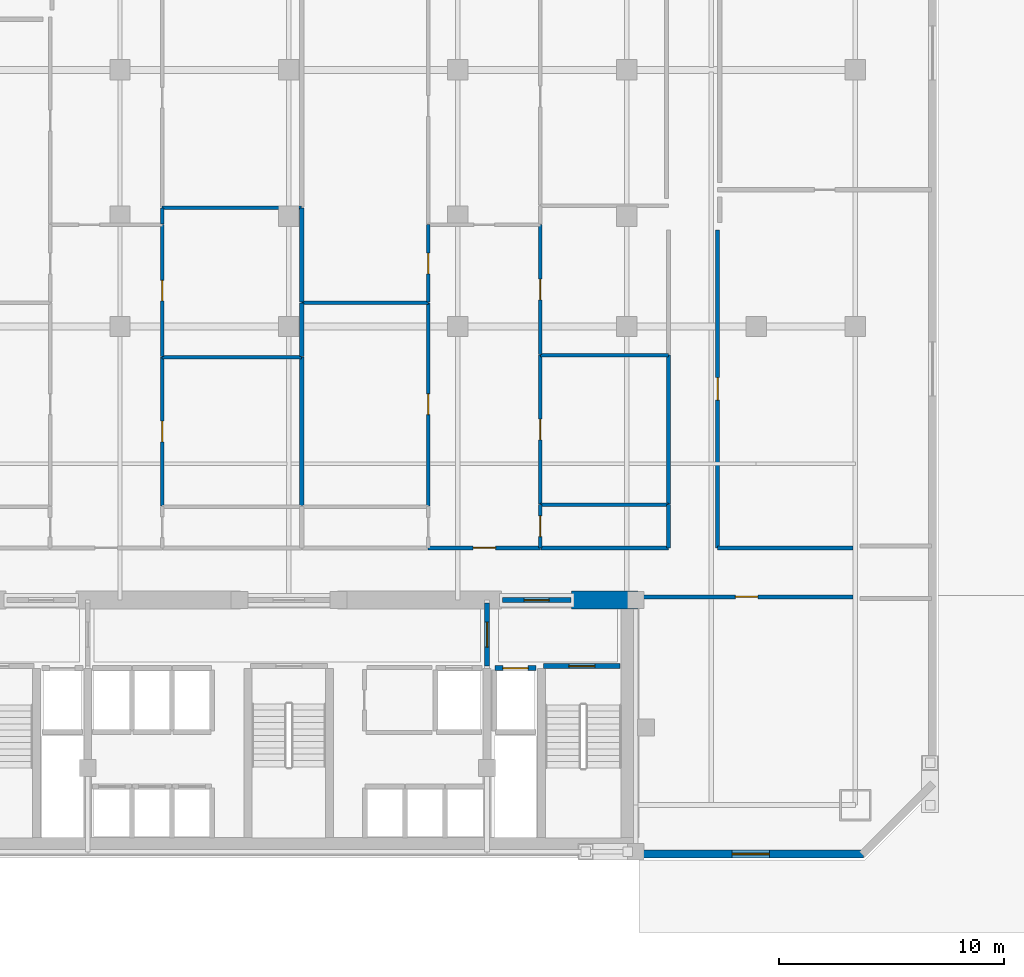
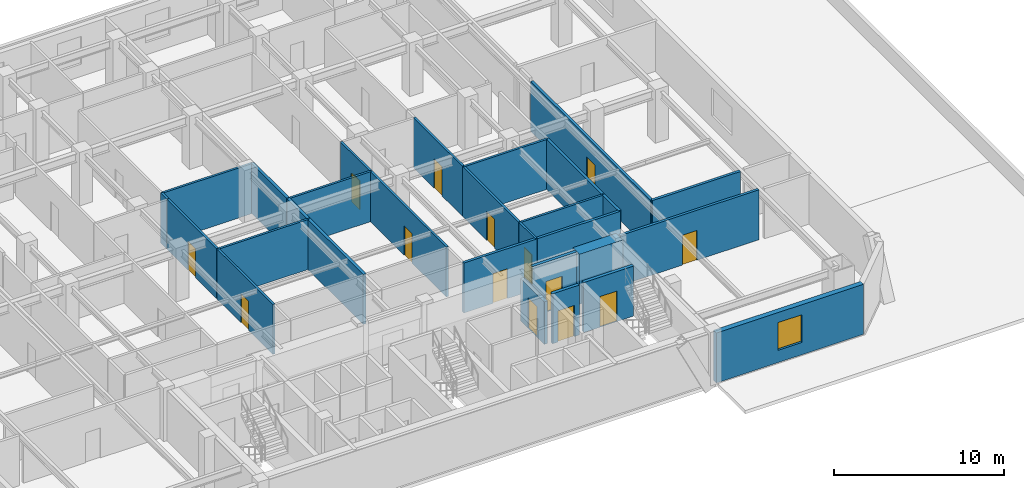
# One storey, part 7 of 11: 29 walls, 14 doors, 1 window, 15 openings.
"""IFC4 building model written with IfcOpenShell, lengths in metres."""

from ifc_helpers import new_model, si_unit, direction, frame, frame_2d, origin, place, context, subcontext, project, spatial, rectangle, extrude, material, layer, layer_set, type_object, element, fill, save


model = new_model("IFC4")

# Units and contexts
model_context = context("Model", 3, precision=1e-05, world=origin(), true_north=direction((0.0, 1.0)))
body_context = subcontext(model_context, "Body", "Model", "MODEL_VIEW")
ifc_project = project(units=[si_unit("LENGTHUNIT", "METRE"), si_unit("AREAUNIT", "SQUARE_METRE"), si_unit("VOLUMEUNIT", "CUBIC_METRE"), si_unit("PLANEANGLEUNIT", "RADIAN"), si_unit("MASSUNIT", "GRAM", prefix="KILO")], contexts=[model_context])

# Site, building, storey
site_placement = place(None, origin())
site = spatial("IfcSite", under=ifc_project, at=site_placement, CompositionType="ELEMENT")
building_placement = place(site_placement, origin())
building = spatial("IfcBuilding", under=site, at=building_placement, Name="Ventersveld Concourse Tower", CompositionType="ELEMENT")
storey_placement = place(building_placement, frame((0.0, 0.0, 29.800048828125)))
storey = spatial("IfcBuildingStorey", under=building, at=storey_placement, Name="L06", CompositionType="ELEMENT", Elevation=29.800048828125)

# Wall
ifc_material_1 = material(Name="Concrete C60/75", Category="concrete")
ifc_layer_1 = layer(ifc_material_1, 0.800048828125)
ifc_layer_set_1 = layer_set([ifc_layer_1], Name="Concrete C60/75")
wall_type_1 = type_object("IfcWallType", Name="WL-CORE-800", PredefinedType="SHEAR", material=ifc_layer_set_1)
wall_1_placement = place(storey_placement, frame((41.300048828125, 11.449951171875, 0.0), z_axis=(0.0, 0.0, 1.0), x_axis=(1.0, 0.0, 0.0)))
element("IfcWall", 1, at=wall_1_placement, inside=storey, type_object=wall_type_1, Name="L06 Rear Core North Shear Wall NE", PredefinedType="SHEAR", context=body_context, shape_type="SweptSolid", body=[
    extrude(rectangle(XDim=2.949951171875, YDim=0.800048828125, at=frame_2d((1.47509765625, 0.0))), origin(), (0.0, 0.0, 1.0), 3.599853515625),
])

# Wall, opening, door
ifc_material_2 = material(Name="Fire-rated autoclaved aerated masonry blockwork", Category="masonry")
ifc_layer_2 = layer(ifc_material_2, 0.179931640625)
ifc_layer_set_2 = layer_set([ifc_layer_2], Name="Fire-rated autoclaved aerated masonry blockwork")
wall_type_2 = type_object("IfcWallType", Name="WL-CORR-180", PredefinedType="PARTITIONING", material=ifc_layer_set_2)
wall_2_placement = place(storey_placement, frame((44.35498046875, 11.60009765625, 0.0), z_axis=(0.0, 0.0, 1.0), x_axis=(1.0, 0.0, 0.0)))
wall_2 = element("IfcWall", 2, at=wall_2_placement, inside=storey, type_object=wall_type_2, Name="L06 Interior Partition SP-L06-SE-OFF-SP-L06-COR", PredefinedType="PARTITIONING", context=body_context, shape_type="SweptSolid", body=[
    extrude(rectangle(XDim=9.43994140625, YDim=0.179931640625, at=frame_2d((4.719970703125, 0.0))), origin(), (0.0, 0.0, 1.0), 3.599853515625),
])
opening_1_placement = place(wall_2_placement, frame((4.219970703125, 0.0, 0.0)))
opening_1 = element("IfcOpeningElement", 3, at=opening_1_placement, cuts=wall_2, Name="Opening FD3", PredefinedType="OPENING", context=body_context, shape_type="SweptSolid", body=[
    extrude(rectangle(XDim=1.0, YDim=2.14990234375, at=frame_2d((0.5, 1.074951171875))), frame((0.0, 0.10009765625, 0.0), z_axis=(0.0, -1.0, 0.0), x_axis=(1.0, 0.0, 0.0)), (0.0, 0.0, 1.0), 0.199951171875),
])
ifc_material_3 = material(Name="Solid-core hardwood veneer timber", Category="wood")
door_type_1 = type_object("IfcDoorType", Name="DR-FLAT-100", OperationType="NOTDEFINED", PredefinedType="DOOR", material=ifc_material_3)
door_1_placement = place(opening_1_placement, origin())
door_1 = element("IfcDoor", 4, at=door_1_placement, inside=storey, type_object=door_type_1, Name="L06 Interior Door SP-L06-SE-OFF to SP-L06-COR (D-L06-0186)", OperationType="SINGLE_SWING_RIGHT", OverallHeight=2.14990234375, OverallWidth=1.0, PredefinedType="DOOR", context=body_context, shape_type="SweptSolid", body=[
    extrude(rectangle(XDim=1.0, YDim=2.14990234375, at=frame_2d((0.5, 1.074951171875))), frame((0.0, 0.02490234375, 0.0), z_axis=(0.0, -1.0, 0.0), x_axis=(1.0, 0.0, 0.0)), (0.0, 0.0, 1.0), 0.050048828125),
])
fill(opening_1, door_1)

wall_3_placement = place(storey_placement, frame((47.7900390625, 13.764892578125, 0.0), z_axis=(0.0, 0.0, 1.0), x_axis=(0.0, 1.0, 0.0)))
wall_3 = element("IfcWall", 5, at=wall_3_placement, inside=storey, type_object=wall_type_2, Name="L06 Interior Partition SP-L06-COR-SP-L06-NELNG1", PredefinedType="PARTITIONING", context=body_context, shape_type="SweptSolid", body=[
    extrude(rectangle(XDim=14.130126953125, YDim=0.179931640625, at=frame_2d((7.06494140625, 0.0))), origin(), (0.0, 0.0, 1.0), 3.599853515625),
])
opening_2_placement = place(wall_3_placement, frame((6.56494140625, 0.0, 0.0)))
opening_2 = element("IfcOpeningElement", 6, at=opening_2_placement, cuts=wall_3, Name="Opening FD3", PredefinedType="OPENING", context=body_context, shape_type="SweptSolid", body=[
    extrude(rectangle(XDim=1.0, YDim=2.14990234375, at=frame_2d((0.5, 1.074951171875))), frame((0.0, 0.10009765625, 0.0), z_axis=(0.0, -1.0, 0.0), x_axis=(1.0, 0.0, 0.0)), (0.0, 0.0, 1.0), 0.199951171875),
])
door_2_placement = place(opening_2_placement, origin())
door_2 = element("IfcDoor", 7, at=door_2_placement, inside=storey, type_object=door_type_1, Name="L06 Interior Door SP-L06-COR to SP-L06-NELNG1 (D-L06-0188)", OperationType="SINGLE_SWING_RIGHT", OverallHeight=2.14990234375, OverallWidth=1.0, PredefinedType="DOOR", context=body_context, shape_type="SweptSolid", body=[
    extrude(rectangle(XDim=1.0, YDim=2.14990234375, at=frame_2d((0.5, 1.074951171875))), frame((0.0, 0.02490234375, 0.0), z_axis=(0.0, -1.0, 0.0), x_axis=(1.0, 0.0, 0.0)), (0.0, 0.0, 1.0), 0.050048828125),
])
fill(opening_2, door_2)

# Wall
wall_4_placement = place(storey_placement, frame((47.784912109375, 13.77001953125, 0.0), z_axis=(0.0, 0.0, 1.0), x_axis=(1.0, 0.0, 0.0)))
element("IfcWall", 8, at=wall_4_placement, inside=storey, type_object=wall_type_2, Name="L06 Interior Partition SP-L06-COR-SP-L06-NELNG1", PredefinedType="PARTITIONING", context=body_context, shape_type="SweptSolid", body=[
    extrude(rectangle(XDim=6.010009765625, YDim=0.179931640625, at=frame_2d((3.0048828125, 0.0))), origin(), (0.0, 0.0, 1.0), 3.599853515625),
])

# Wall, opening, door
wall_5_placement = place(storey_placement, frame((34.93359375, 13.77001953125, 0.0), z_axis=(0.0, 0.0, 1.0), x_axis=(1.0, 0.0, 0.0)))
wall_5 = element("IfcWall", 9, at=wall_5_placement, inside=storey, type_object=wall_type_2, Name="L06 Interior Partition SP-L06-COR-SP-L06-06N2-FOY", PredefinedType="PARTITIONING", context=body_context, shape_type="SweptSolid", body=[
    extrude(rectangle(XDim=4.989990234375, YDim=0.179931640625, at=frame_2d((2.4951171875, 0.0))), origin(), (0.0, 0.0, 1.0), 3.599853515625),
])
opening_3_placement = place(wall_5_placement, frame((1.9951171875, 0.0, 0.0)))
opening_3 = element("IfcOpeningElement", 10, at=opening_3_placement, cuts=wall_5, Name="Opening FD3", PredefinedType="OPENING", context=body_context, shape_type="SweptSolid", body=[
    extrude(rectangle(XDim=1.0, YDim=2.14990234375, at=frame_2d((0.5, 1.074951171875))), frame((0.0, 0.10009765625, 0.0), z_axis=(0.0, -1.0, 0.0), x_axis=(1.0, 0.0, 0.0)), (0.0, 0.0, 1.0), 0.199951171875),
])
door_3_placement = place(opening_3_placement, origin())
door_3 = element("IfcDoor", 11, at=door_3_placement, inside=storey, type_object=door_type_1, Name="L06 Interior Door SP-L06-COR to SP-L06-06N2-FOY (FD-L06-0190)", OperationType="SINGLE_SWING_RIGHT", OverallHeight=2.14990234375, OverallWidth=1.0, PredefinedType="DOOR", context=body_context, shape_type="SweptSolid", body=[
    extrude(rectangle(XDim=1.0, YDim=2.14990234375, at=frame_2d((0.5, 1.074951171875))), frame((0.0, 0.02490234375, 0.0), z_axis=(0.0, -1.0, 0.0), x_axis=(1.0, 0.0, 0.0)), (0.0, 0.0, 1.0), 0.050048828125),
])
fill(opening_3, door_3)

# Walls
wall_6_placement = place(storey_placement, frame((39.95361328125, 13.77001953125, 0.0), z_axis=(0.0, 0.0, 1.0), x_axis=(1.0, 0.0, 0.0)))
element("IfcWall", 12, at=wall_6_placement, inside=storey, type_object=wall_type_2, Name="L06 Interior Partition SP-L06-COR-SP-L06-06N2-KIT", PredefinedType="PARTITIONING", context=body_context, shape_type="SweptSolid", body=[
    extrude(rectangle(XDim=5.661376953125, YDim=0.179931640625, at=frame_2d((2.83056640625, 0.0))), origin(), (0.0, 0.0, 1.0), 3.599853515625),
])
wall_7_placement = place(storey_placement, frame((45.610107421875, 13.764892578125, 0.0), z_axis=(0.0, 0.0, 1.0), x_axis=(0.0, 1.0, 0.0)))
element("IfcWall", 13, at=wall_7_placement, inside=storey, type_object=wall_type_2, Name="L06 Interior Partition SP-L06-COR-SP-L06-06N2-KIT", PredefinedType="PARTITIONING", context=body_context, shape_type="SweptSolid", body=[
    extrude(rectangle(XDim=1.931884765625, YDim=0.179931640625, at=frame_2d((0.9658203125, 0.0))), origin(), (0.0, 0.0, 1.0), 3.599853515625),
])
wall_8_placement = place(storey_placement, frame((45.610107421875, 15.726806640625, 0.0), z_axis=(0.0, 0.0, 1.0), x_axis=(0.0, 1.0, 0.0)))
element("IfcWall", 14, at=wall_8_placement, inside=storey, type_object=wall_type_2, Name="L06 Interior Partition SP-L06-COR-SP-L06-06N2-DENR", PredefinedType="PARTITIONING", context=body_context, shape_type="SweptSolid", body=[
    extrude(rectangle(XDim=6.602783203125, YDim=0.179931640625, at=frame_2d((3.30126953125, 0.0))), origin(), (0.0, 0.0, 1.0), 3.599853515625),
])
ifc_layer_3 = layer(ifc_material_2, 0.199951171875)
ifc_layer_set_3 = layer_set([ifc_layer_3], Name="Fire-rated autoclaved aerated masonry blockwork")
wall_type_3 = type_object("IfcWallType", Name="WL-DEMISE-200", PredefinedType="PARTITIONING", material=ifc_layer_set_3)
wall_9_placement = place(storey_placement, frame((29.314208984375, 15.635009765625, 0.0), z_axis=(0.0, 0.0, 1.0), x_axis=(0.0, 1.0, 0.0)))
element("IfcWall", 15, at=wall_9_placement, inside=storey, type_object=wall_type_3, Name="L06 Interior Partition SP-L06-06N1-DENR-SP-L06-06N2-DENL", PredefinedType="PARTITIONING", context=body_context, shape_type="SweptSolid", body=[
    extrude(rectangle(XDim=6.602783203125, YDim=0.199951171875, at=frame_2d((3.30126953125, 0.0))), origin(), (0.0, 0.0, 1.0), 3.599853515625),
])
wall_10_placement = place(storey_placement, frame((29.314208984375, 22.267822265625, 0.0), z_axis=(0.0, 0.0, 1.0), x_axis=(0.0, 1.0, 0.0)))
element("IfcWall", 16, at=wall_10_placement, inside=storey, type_object=wall_type_3, Name="L06 Interior Partition SP-L06-06N1-DENS-SP-L06-06N2-DENL", PredefinedType="PARTITIONING", context=body_context, shape_type="SweptSolid", body=[
    extrude(rectangle(XDim=2.386962890625, YDim=0.199951171875, at=frame_2d((1.193359375, 0.0))), origin(), (0.0, 0.0, 1.0), 3.599853515625),
])
wall_11_placement = place(storey_placement, frame((29.314208984375, 24.684814453125, 0.0), z_axis=(0.0, 0.0, 1.0), x_axis=(0.0, 1.0, 0.0)))
element("IfcWall", 17, at=wall_11_placement, inside=storey, type_object=wall_type_3, Name="L06 Interior Partition SP-L06-06N1-DENS-SP-L06-06N2-DENL2", PredefinedType="PARTITIONING", context=body_context, shape_type="SweptSolid", body=[
    extrude(rectangle(XDim=4.18603515625, YDim=0.199951171875, at=frame_2d((2.093017578125, 0.0))), origin(), (0.0, 0.0, 1.0), 3.599853515625),
])

# Wall, opening, door
ifc_layer_4 = layer(ifc_material_2, 0.219970703125)
ifc_layer_set_4 = layer_set([ifc_layer_4], Name="Fire-rated autoclaved aerated masonry blockwork")
wall_type_4 = type_object("IfcWallType", Name="WL-HOIST-220", PredefinedType="SOLIDWALL", material=ifc_layer_set_4)
wall_12_placement = place(storey_placement, frame((37.89990234375, 8.429931640625, 0.0), z_axis=(0.0, 0.0, 1.0), x_axis=(1.0, 0.0, 0.0)))
wall_12 = element("IfcWall", 18, at=wall_12_placement, inside=storey, type_object=wall_type_4, Name="L06 Lift Hoistway Front Wall FFL-02", PredefinedType="SOLIDWALL", context=body_context, shape_type="SweptSolid", body=[
    extrude(rectangle(XDim=1.820068359375, YDim=0.219970703125, at=frame_2d((0.91015625, 0.0))), origin(), (0.0, 0.0, 1.0), 3.599853515625),
])
opening_4_placement = place(wall_12_placement, frame((0.35009765625, 0.0, 0.0)))
opening_4 = element("IfcOpeningElement", 19, at=opening_4_placement, cuts=wall_12, Name="Opening LD1", PredefinedType="OPENING", context=body_context, shape_type="SweptSolid", body=[
    extrude(rectangle(XDim=1.1201171875, YDim=2.25, at=frame_2d((0.56005859375, 1.125))), frame((0.0, 0.1201171875, 0.0), z_axis=(0.0, -1.0, 0.0), x_axis=(1.0, 0.0, 0.0)), (0.0, 0.0, 1.0), 0.239990234375),
])
ifc_material_4 = material(Name="Brushed stainless steel 316", Category="steel")
door_type_2 = type_object("IfcDoorType", Name="LD-FF-112", OperationType="SLIDING_TO_LEFT", PredefinedType="DOOR", material=ifc_material_4)
door_4_placement = place(opening_4_placement, origin())
door_4 = element("IfcDoor", 20, at=door_4_placement, inside=storey, type_object=door_type_2, Name="L06 Lift landing door FFL-02 (LD-L06-FFL-02)", OperationType="SLIDING_TO_RIGHT", OverallHeight=2.25, OverallWidth=1.1201171875, PredefinedType="DOOR", context=body_context, shape_type="SweptSolid", body=[
    extrude(rectangle(XDim=1.1201171875, YDim=2.25, at=frame_2d((0.56005859375, 1.125))), frame((0.0, 0.02490234375, 0.0), z_axis=(0.0, -1.0, 0.0), x_axis=(1.0, 0.0, 0.0)), (0.0, 0.0, 1.0), 0.050048828125),
])
fill(opening_4, door_4)

wall_13_placement = place(storey_placement, frame((40.06005859375, 8.52001953125, 0.0), z_axis=(0.0, 0.0, 1.0), x_axis=(1.0, 0.0, 0.0)))
wall_13 = element("IfcWall", 21, at=wall_13_placement, inside=storey, type_object=wall_type_4, Name="L06 Escape Stair ST02 Fire Wall", PredefinedType="SOLIDWALL", context=body_context, shape_type="SweptSolid", body=[
    extrude(rectangle(XDim=3.39990234375, YDim=0.219970703125, at=frame_2d((1.699951171875, 0.0))), origin(), (0.0, 0.0, 1.0), 3.599853515625),
])
opening_5_placement = place(wall_13_placement, frame((1.125, 0.0, 0.0)))
opening_5 = element("IfcOpeningElement", 22, at=opening_5_placement, cuts=wall_13, Name="Opening FD1", PredefinedType="OPENING", context=body_context, shape_type="SweptSolid", body=[
    extrude(rectangle(XDim=1.14990234375, YDim=2.199951171875, at=frame_2d((0.574951171875, 1.10009765625))), frame((0.0, 0.1201171875, 0.0), z_axis=(0.0, -1.0, 0.0), x_axis=(1.0, 0.0, 0.0)), (0.0, 0.0, 1.0), 0.239990234375),
])
ifc_material_5 = material(Name="Galvanised painted steel", Category="steel")
door_type_3 = type_object("IfcDoorType", Name="DR-STAIR-115", OperationType="NOTDEFINED", PredefinedType="DOOR", material=ifc_material_5)
door_5_placement = place(opening_5_placement, origin())
door_5 = element("IfcDoor", 23, at=door_5_placement, inside=storey, type_object=door_type_3, Name="L06 Escape Stair Door ST02 (SD-L06-0177)", OperationType="SINGLE_SWING_RIGHT", OverallHeight=2.199951171875, OverallWidth=1.14990234375, PredefinedType="DOOR", context=body_context, shape_type="SweptSolid", body=[
    extrude(rectangle(XDim=1.14990234375, YDim=2.199951171875, at=frame_2d((0.574951171875, 1.10009765625))), frame((0.0, 0.02490234375, 0.0), z_axis=(0.0, -1.0, 0.0), x_axis=(1.0, 0.0, 0.0)), (0.0, 0.0, 1.0), 0.050048828125),
])
fill(opening_5, door_5)

wall_14_placement = place(storey_placement, frame((37.550048828125, 8.52001953125, 0.0), z_axis=(0.0, 0.0, 1.0), x_axis=(0.0, 1.0, 0.0)))
wall_14 = element("IfcWall", 24, at=wall_14_placement, inside=storey, type_object=wall_type_4, Name="L06 Firefighting Lobby Smoke-Stop Wall FFLE-SEP", PredefinedType="SOLIDWALL", context=body_context, shape_type="SweptSolid", body=[
    extrude(rectangle(XDim=2.800048828125, YDim=0.219970703125, at=frame_2d((1.39990234375, 0.0))), origin(), (0.0, 0.0, 1.0), 3.055419921875),
])
opening_6_placement = place(wall_14_placement, frame((0.85009765625, 0.0, 0.0)))
opening_6 = element("IfcOpeningElement", 25, at=opening_6_placement, cuts=wall_14, Name="Opening FD2", PredefinedType="OPENING", context=body_context, shape_type="SweptSolid", body=[
    extrude(rectangle(XDim=1.10009765625, YDim=2.199951171875, at=frame_2d((0.550048828125, 1.10009765625))), frame((0.0, 0.1201171875, 0.0), z_axis=(0.0, -1.0, 0.0), x_axis=(1.0, 0.0, 0.0)), (0.0, 0.0, 1.0), 0.239990234375),
])
door_type_4 = type_object("IfcDoorType", Name="DR-FFL-110", OperationType="NOTDEFINED", PredefinedType="DOOR", material=ifc_material_5)
door_6_placement = place(opening_6_placement, origin())
door_6 = element("IfcDoor", 26, at=door_6_placement, inside=storey, type_object=door_type_4, Name="L06 Firefighting Lobby Door FFLE-SEP (FD-L06-0180)", OperationType="SINGLE_SWING_RIGHT", OverallHeight=2.199951171875, OverallWidth=1.10009765625, PredefinedType="DOOR", context=body_context, shape_type="SweptSolid", body=[
    extrude(rectangle(XDim=1.10009765625, YDim=2.199951171875, at=frame_2d((0.550048828125, 1.10009765625))), frame((0.0, 0.02490234375, 0.0), z_axis=(0.0, -1.0, 0.0), x_axis=(1.0, 0.0, 0.0)), (0.0, 0.0, 1.0), 0.050048828125),
])
fill(opening_6, door_6)

wall_15_placement = place(storey_placement, frame((38.22998046875, 11.449951171875, 0.0), z_axis=(0.0, 0.0, 1.0), x_axis=(1.0, 0.0, 0.0)))
wall_15 = element("IfcWall", 27, at=wall_15_placement, inside=storey, type_object=wall_type_4, Name="L06 Core North Fire Portal FFLE-OUT", PredefinedType="SOLIDWALL", context=body_context, shape_type="SweptSolid", body=[
    extrude(rectangle(XDim=3.0400390625, YDim=0.219970703125, at=frame_2d((1.52001953125, 0.0))), origin(), (0.0, 0.0, 1.0), 3.599853515625),
])
opening_7_placement = place(wall_15_placement, frame((0.969970703125, 0.0, 0.0)))
opening_7 = element("IfcOpeningElement", 28, at=opening_7_placement, cuts=wall_15, Name="Opening FD2", PredefinedType="OPENING", context=body_context, shape_type="SweptSolid", body=[
    extrude(rectangle(XDim=1.10009765625, YDim=2.199951171875, at=frame_2d((0.550048828125, 1.10009765625))), frame((0.0, 0.1201171875, 0.0), z_axis=(0.0, -1.0, 0.0), x_axis=(1.0, 0.0, 0.0)), (0.0, 0.0, 1.0), 0.239990234375),
])
door_7_placement = place(opening_7_placement, origin())
door_7 = element("IfcDoor", 29, at=door_7_placement, inside=storey, type_object=door_type_4, Name="L06 Core Lobby Fire Door FFLE-OUT (FD-L06-0183)", OperationType="SINGLE_SWING_LEFT", OverallHeight=2.199951171875, OverallWidth=1.10009765625, PredefinedType="DOOR", context=body_context, shape_type="SweptSolid", body=[
    extrude(rectangle(XDim=1.10009765625, YDim=2.199951171875, at=frame_2d((0.550048828125, 1.10009765625))), frame((0.0, 0.02490234375, 0.0), z_axis=(0.0, -1.0, 0.0), x_axis=(1.0, 0.0, 0.0)), (0.0, 0.0, 1.0), 0.050048828125),
])
fill(opening_7, door_7)

ifc_material_6 = material(Name="Autoclaved aerated masonry blockwork", Category="masonry")
ifc_layer_5 = layer(ifc_material_6, 0.14990234375)
ifc_layer_set_5 = layer_set([ifc_layer_5], Name="Autoclaved aerated masonry blockwork")
wall_type_5 = type_object("IfcWallType", Name="WL-INT-150", PredefinedType="PARTITIONING", material=ifc_layer_set_5)
wall_16_placement = place(storey_placement, frame((23.1279296875, 15.635009765625, 0.0), z_axis=(0.0, 0.0, 1.0), x_axis=(0.0, 1.0, 0.0)))
wall_16 = element("IfcWall", 30, at=wall_16_placement, inside=storey, type_object=wall_type_5, Name="L06 Interior Partition SP-L06-06N1-FOY-SP-L06-06N1-DENR", PredefinedType="PARTITIONING", context=body_context, shape_type="SweptSolid", body=[
    extrude(rectangle(XDim=6.602783203125, YDim=0.14990234375, at=frame_2d((3.30126953125, 0.0))), origin(), (0.0, 0.0, 1.0), 3.599853515625),
])
opening_8_placement = place(wall_16_placement, frame((2.841552734375, 0.0, 0.0)))
opening_8 = element("IfcOpeningElement", 31, at=opening_8_placement, cuts=wall_16, Name="Opening ID1", PredefinedType="OPENING", context=body_context, shape_type="SweptSolid", body=[
    extrude(rectangle(XDim=0.919921875, YDim=2.10009765625, at=frame_2d((0.4599609375, 1.050048828125))), frame((0.0, 0.0849609375, 0.0), z_axis=(0.0, -1.0, 0.0), x_axis=(1.0, 0.0, 0.0)), (0.0, 0.0, 1.0), 0.169921875),
])
door_type_5 = type_object("IfcDoorType", Name="DR-ROOM-092", OperationType="NOTDEFINED", PredefinedType="DOOR", material=ifc_material_3)
door_8_placement = place(opening_8_placement, origin())
door_8 = element("IfcDoor", 32, at=door_8_placement, inside=storey, type_object=door_type_5, Name="L06 Interior Door SP-L06-06N1-FOY to SP-L06-06N1-DENR (D-L06-0198)", OperationType="SINGLE_SWING_RIGHT", OverallHeight=2.10009765625, OverallWidth=0.919921875, PredefinedType="DOOR", context=body_context, shape_type="SweptSolid", body=[
    extrude(rectangle(XDim=0.919921875, YDim=2.10009765625, at=frame_2d((0.4599609375, 1.050048828125))), frame((0.0, 0.02490234375, 0.0), z_axis=(0.0, -1.0, 0.0), x_axis=(1.0, 0.0, 0.0)), (0.0, 0.0, 1.0), 0.050048828125),
])
fill(opening_8, door_8)

wall_17_placement = place(storey_placement, frame((23.1279296875, 22.267822265625, 0.0), z_axis=(0.0, 0.0, 1.0), x_axis=(0.0, 1.0, 0.0)))
wall_17 = element("IfcWall", 33, at=wall_17_placement, inside=storey, type_object=wall_type_5, Name="L06 Interior Partition SP-L06-06N1-FOY-SP-L06-06N1-DENS", PredefinedType="PARTITIONING", context=body_context, shape_type="SweptSolid", body=[
    extrude(rectangle(XDim=5.853759765625, YDim=0.14990234375, at=frame_2d((2.9267578125, 0.0))), origin(), (0.0, 0.0, 1.0), 3.599853515625),
])
opening_9_placement = place(wall_17_placement, frame((2.466796875, 0.0, 0.0)))
opening_9 = element("IfcOpeningElement", 34, at=opening_9_placement, cuts=wall_17, Name="Opening ID1", PredefinedType="OPENING", context=body_context, shape_type="SweptSolid", body=[
    extrude(rectangle(XDim=0.919921875, YDim=2.10009765625, at=frame_2d((0.4599609375, 1.050048828125))), frame((0.0, 0.0849609375, 0.0), z_axis=(0.0, -1.0, 0.0), x_axis=(1.0, 0.0, 0.0)), (0.0, 0.0, 1.0), 0.169921875),
])
door_9_placement = place(opening_9_placement, origin())
door_9 = element("IfcDoor", 35, at=door_9_placement, inside=storey, type_object=door_type_5, Name="L06 Interior Door SP-L06-06N1-FOY to SP-L06-06N1-DENS (D-L06-0199)", OperationType="SINGLE_SWING_LEFT", OverallHeight=2.10009765625, OverallWidth=0.919921875, PredefinedType="DOOR", context=body_context, shape_type="SweptSolid", body=[
    extrude(rectangle(XDim=0.919921875, YDim=2.10009765625, at=frame_2d((0.4599609375, 1.050048828125))), frame((0.0, 0.02490234375, 0.0), z_axis=(0.0, -1.0, 0.0), x_axis=(1.0, 0.0, 0.0)), (0.0, 0.0, 1.0), 0.050048828125),
])
fill(opening_9, door_9)

# Walls
wall_18_placement = place(storey_placement, frame((23.1279296875, 28.151611328125, 0.0), z_axis=(0.0, 0.0, 1.0), x_axis=(0.0, 1.0, 0.0)))
element("IfcWall", 36, at=wall_18_placement, inside=storey, type_object=wall_type_5, Name="L06 Interior Partition SP-L06-06N1-LIV-SP-L06-06N1-DENS", PredefinedType="PARTITIONING", context=body_context, shape_type="SweptSolid", body=[
    extrude(rectangle(XDim=0.71923828125, YDim=0.14990234375, at=frame_2d((0.359619140625, 0.0))), origin(), (0.0, 0.0, 1.0), 3.599853515625),
])
for number, where, z_axis, x_axis, name in (
    (37, (23.122802734375, 22.23291015625, 0.0), (0.0, 0.0, 1.0), (1.0, 0.0, 0.0), "L06 Interior Partition SP-L06-06N1-DENR-SP-L06-06N1-DENS"),
    (38, (23.122802734375, 28.86572265625, 0.0), (0.0, 0.0, 1.0), (1.0, 0.0, 0.0), "L06 Interior Partition SP-L06-06N1-DENS-SP-L06-06N1-DENS2"),
):
    element("IfcWall", number, at=place(storey_placement, frame(where, z_axis=z_axis, x_axis=x_axis)), inside=storey, type_object=wall_type_5, Name=name, PredefinedType="PARTITIONING", context=body_context, shape_type="SweptSolid", body=[
        extrude(rectangle(XDim=6.1962890625, YDim=0.14990234375, at=frame_2d((3.09814453125, 0.0))), origin(), (0.0, 0.0, 1.0), 3.599853515625),
    ])

# Wall, opening, door
wall_19_placement = place(storey_placement, frame((34.9384765625, 15.635009765625, 0.0), z_axis=(0.0, 0.0, 1.0), x_axis=(0.0, 1.0, 0.0)))
wall_19 = element("IfcWall", 39, at=wall_19_placement, inside=storey, type_object=wall_type_5, Name="L06 Interior Partition SP-L06-06N2-FOY-SP-L06-06N2-DENL", PredefinedType="PARTITIONING", context=body_context, shape_type="SweptSolid", body=[
    extrude(rectangle(XDim=9.019775390625, YDim=0.14990234375, at=frame_2d((4.509765625, 0.0))), origin(), (0.0, 0.0, 1.0), 3.599853515625),
])
opening_10_placement = place(wall_19_placement, frame((4.050048828125, 0.0, 0.0)))
opening_10 = element("IfcOpeningElement", 40, at=opening_10_placement, cuts=wall_19, Name="Opening ID1", PredefinedType="OPENING", context=body_context, shape_type="SweptSolid", body=[
    extrude(rectangle(XDim=0.919921875, YDim=2.10009765625, at=frame_2d((0.4599609375, 1.050048828125))), frame((0.0, 0.0849609375, 0.0), z_axis=(0.0, -1.0, 0.0), x_axis=(1.0, 0.0, 0.0)), (0.0, 0.0, 1.0), 0.169921875),
])
door_10_placement = place(opening_10_placement, origin())
door_10 = element("IfcDoor", 41, at=door_10_placement, inside=storey, type_object=door_type_5, Name="L06 Interior Door SP-L06-06N2-FOY to SP-L06-06N2-DENL (D-L06-0207)", OperationType="SINGLE_SWING_LEFT", OverallHeight=2.10009765625, OverallWidth=0.919921875, PredefinedType="DOOR", context=body_context, shape_type="SweptSolid", body=[
    extrude(rectangle(XDim=0.919921875, YDim=2.10009765625, at=frame_2d((0.4599609375, 1.050048828125))), frame((0.0, 0.02490234375, 0.0), z_axis=(0.0, -1.0, 0.0), x_axis=(1.0, 0.0, 0.0)), (0.0, 0.0, 1.0), 0.050048828125),
])
fill(opening_10, door_10)

wall_20_placement = place(storey_placement, frame((34.9384765625, 24.684814453125, 0.0), z_axis=(0.0, 0.0, 1.0), x_axis=(0.0, 1.0, 0.0)))
wall_20 = element("IfcWall", 42, at=wall_20_placement, inside=storey, type_object=wall_type_5, Name="L06 Interior Partition SP-L06-06N2-FOY-SP-L06-06N2-DENL2", PredefinedType="PARTITIONING", context=body_context, shape_type="SweptSolid", body=[
    extrude(rectangle(XDim=3.436767578125, YDim=0.14990234375, at=frame_2d((1.71826171875, 0.0))), origin(), (0.0, 0.0, 1.0), 3.599853515625),
])
opening_11_placement = place(wall_20_placement, frame((1.25830078125, 0.0, 0.0)))
opening_11 = element("IfcOpeningElement", 43, at=opening_11_placement, cuts=wall_20, Name="Opening ID1", PredefinedType="OPENING", context=body_context, shape_type="SweptSolid", body=[
    extrude(rectangle(XDim=0.919921875, YDim=2.10009765625, at=frame_2d((0.4599609375, 1.050048828125))), frame((0.0, 0.0849609375, 0.0), z_axis=(0.0, -1.0, 0.0), x_axis=(1.0, 0.0, 0.0)), (0.0, 0.0, 1.0), 0.169921875),
])
door_11_placement = place(opening_11_placement, origin())
door_11 = element("IfcDoor", 44, at=door_11_placement, inside=storey, type_object=door_type_5, Name="L06 Interior Door SP-L06-06N2-FOY to SP-L06-06N2-DENL2 (D-L06-0208)", OperationType="SINGLE_SWING_RIGHT", OverallHeight=2.10009765625, OverallWidth=0.919921875, PredefinedType="DOOR", context=body_context, shape_type="SweptSolid", body=[
    extrude(rectangle(XDim=0.919921875, YDim=2.10009765625, at=frame_2d((0.4599609375, 1.050048828125))), frame((0.0, 0.02490234375, 0.0), z_axis=(0.0, -1.0, 0.0), x_axis=(1.0, 0.0, 0.0)), (0.0, 0.0, 1.0), 0.050048828125),
])
fill(opening_11, door_11)

wall_21_placement = place(storey_placement, frame((39.91845703125, 13.764892578125, 0.0), z_axis=(0.0, 0.0, 1.0), x_axis=(0.0, 1.0, 0.0)))
wall_21 = element("IfcWall", 45, at=wall_21_placement, inside=storey, type_object=wall_type_5, Name="L06 Interior Partition SP-L06-06N2-FOY-SP-L06-06N2-KIT", PredefinedType="PARTITIONING", context=body_context, shape_type="SweptSolid", body=[
    extrude(rectangle(XDim=1.931884765625, YDim=0.14990234375, at=frame_2d((0.9658203125, 0.0))), origin(), (0.0, 0.0, 1.0), 3.599853515625),
])
opening_12_placement = place(wall_21_placement, frame((0.505859375, 0.0, 0.0)))
opening_12 = element("IfcOpeningElement", 46, at=opening_12_placement, cuts=wall_21, Name="Opening ID1", PredefinedType="OPENING", context=body_context, shape_type="SweptSolid", body=[
    extrude(rectangle(XDim=0.919921875, YDim=2.10009765625, at=frame_2d((0.4599609375, 1.050048828125))), frame((0.0, 0.0849609375, 0.0), z_axis=(0.0, -1.0, 0.0), x_axis=(1.0, 0.0, 0.0)), (0.0, 0.0, 1.0), 0.169921875),
])
door_12_placement = place(opening_12_placement, origin())
door_12 = element("IfcDoor", 47, at=door_12_placement, inside=storey, type_object=door_type_5, Name="L06 Interior Door SP-L06-06N2-FOY to SP-L06-06N2-KIT (D-L06-0209)", OperationType="SINGLE_SWING_LEFT", OverallHeight=2.10009765625, OverallWidth=0.919921875, PredefinedType="DOOR", context=body_context, shape_type="SweptSolid", body=[
    extrude(rectangle(XDim=0.919921875, YDim=2.10009765625, at=frame_2d((0.4599609375, 1.050048828125))), frame((0.0, 0.02490234375, 0.0), z_axis=(0.0, -1.0, 0.0), x_axis=(1.0, 0.0, 0.0)), (0.0, 0.0, 1.0), 0.050048828125),
])
fill(opening_12, door_12)

wall_22_placement = place(storey_placement, frame((39.91845703125, 15.726806640625, 0.0), z_axis=(0.0, 0.0, 1.0), x_axis=(0.0, 1.0, 0.0)))
wall_22 = element("IfcWall", 48, at=wall_22_placement, inside=storey, type_object=wall_type_5, Name="L06 Interior Partition SP-L06-06N2-FOY-SP-L06-06N2-DENR", PredefinedType="PARTITIONING", context=body_context, shape_type="SweptSolid", body=[
    extrude(rectangle(XDim=6.602783203125, YDim=0.14990234375, at=frame_2d((3.30126953125, 0.0))), origin(), (0.0, 0.0, 1.0), 3.599853515625),
])
opening_13_placement = place(wall_22_placement, frame((2.841552734375, 0.0, 0.0)))
opening_13 = element("IfcOpeningElement", 49, at=opening_13_placement, cuts=wall_22, Name="Opening ID1", PredefinedType="OPENING", context=body_context, shape_type="SweptSolid", body=[
    extrude(rectangle(XDim=0.919921875, YDim=2.10009765625, at=frame_2d((0.4599609375, 1.050048828125))), frame((0.0, 0.0849609375, 0.0), z_axis=(0.0, -1.0, 0.0), x_axis=(1.0, 0.0, 0.0)), (0.0, 0.0, 1.0), 0.169921875),
])
door_13_placement = place(opening_13_placement, origin())
door_13 = element("IfcDoor", 50, at=door_13_placement, inside=storey, type_object=door_type_5, Name="L06 Interior Door SP-L06-06N2-FOY to SP-L06-06N2-DENR (D-L06-0210)", OperationType="SINGLE_SWING_RIGHT", OverallHeight=2.10009765625, OverallWidth=0.919921875, PredefinedType="DOOR", context=body_context, shape_type="SweptSolid", body=[
    extrude(rectangle(XDim=0.919921875, YDim=2.10009765625, at=frame_2d((0.4599609375, 1.050048828125))), frame((0.0, 0.02490234375, 0.0), z_axis=(0.0, -1.0, 0.0), x_axis=(1.0, 0.0, 0.0)), (0.0, 0.0, 1.0), 0.050048828125),
])
fill(opening_13, door_13)

wall_23_placement = place(storey_placement, frame((39.91845703125, 22.359619140625, 0.0), z_axis=(0.0, 0.0, 1.0), x_axis=(0.0, 1.0, 0.0)))
wall_23 = element("IfcWall", 51, at=wall_23_placement, inside=storey, type_object=wall_type_5, Name="L06 Interior Partition SP-L06-06N2-FOY-SP-L06-06N2-DENS", PredefinedType="PARTITIONING", context=body_context, shape_type="SweptSolid", body=[
    extrude(rectangle(XDim=5.761962890625, YDim=0.14990234375, at=frame_2d((2.880859375, 0.0))), origin(), (0.0, 0.0, 1.0), 3.599853515625),
])
opening_14_placement = place(wall_23_placement, frame((2.4208984375, 0.0, 0.0)))
opening_14 = element("IfcOpeningElement", 52, at=opening_14_placement, cuts=wall_23, Name="Opening ID1", PredefinedType="OPENING", context=body_context, shape_type="SweptSolid", body=[
    extrude(rectangle(XDim=0.919921875, YDim=2.10009765625, at=frame_2d((0.4599609375, 1.050048828125))), frame((0.0, 0.0849609375, 0.0), z_axis=(0.0, -1.0, 0.0), x_axis=(1.0, 0.0, 0.0)), (0.0, 0.0, 1.0), 0.169921875),
])
door_14_placement = place(opening_14_placement, origin())
door_14 = element("IfcDoor", 53, at=door_14_placement, inside=storey, type_object=door_type_5, Name="L06 Interior Door SP-L06-06N2-FOY to SP-L06-06N2-DENS (D-L06-0211)", OperationType="SINGLE_SWING_LEFT", OverallHeight=2.10009765625, OverallWidth=0.919921875, PredefinedType="DOOR", context=body_context, shape_type="SweptSolid", body=[
    extrude(rectangle(XDim=0.919921875, YDim=2.10009765625, at=frame_2d((0.4599609375, 1.050048828125))), frame((0.0, 0.02490234375, 0.0), z_axis=(0.0, -1.0, 0.0), x_axis=(1.0, 0.0, 0.0)), (0.0, 0.0, 1.0), 0.050048828125),
])
fill(opening_14, door_14)

# Walls
wall_24_placement = place(storey_placement, frame((29.30908203125, 24.64990234375, 0.0), z_axis=(0.0, 0.0, 1.0), x_axis=(1.0, 0.0, 0.0)))
element("IfcWall", 54, at=wall_24_placement, inside=storey, type_object=wall_type_5, Name="L06 Interior Partition SP-L06-06N2-DENL-SP-L06-06N2-DENL2", PredefinedType="PARTITIONING", context=body_context, shape_type="SweptSolid", body=[
    extrude(rectangle(XDim=5.634521484375, YDim=0.14990234375, at=frame_2d((2.8173828125, 0.0))), origin(), (0.0, 0.0, 1.0), 3.599853515625),
])
for number, where, z_axis, x_axis, name in (
    (55, (39.91357421875, 15.69189453125, 0.0), (0.0, 0.0, 1.0), (1.0, 0.0, 0.0), "L06 Interior Partition SP-L06-06N2-KIT-SP-L06-06N2-DENR"),
    (56, (39.91357421875, 22.32470703125, 0.0), (0.0, 0.0, 1.0), (1.0, 0.0, 0.0), "L06 Interior Partition SP-L06-06N2-DENR-SP-L06-06N2-DENS"),
):
    element("IfcWall", number, at=place(storey_placement, frame(where, z_axis=z_axis, x_axis=x_axis)), inside=storey, type_object=wall_type_5, Name=name, PredefinedType="PARTITIONING", context=body_context, shape_type="SweptSolid", body=[
        extrude(rectangle(XDim=5.701416015625, YDim=0.14990234375, at=frame_2d((2.8505859375, 0.0))), origin(), (0.0, 0.0, 1.0), 3.599853515625),
    ])

# Wall, opening, window
ifc_material_7 = material(Name="Precast concrete C45/55", Category="concrete")
ifc_layer_6 = layer(ifc_material_7, 0.35009765625)
ifc_layer_set_6 = layer_set([ifc_layer_6], Name="Precast concrete C45/55")
wall_type_6 = type_object("IfcWallType", Name="WL-PREC-350", PredefinedType="SOLIDWALL", material=ifc_layer_set_6)
wall_25_placement = place(storey_placement, frame((44.25, 0.179931640625, 0.0), z_axis=(0.0, 0.0, 1.0), x_axis=(1.0, 0.0, 0.0)))
wall_25 = element("IfcWall", 57, at=wall_25_placement, inside=storey, type_object=wall_type_6, Name="L06 South-East Flank Precast Wall", PredefinedType="SOLIDWALL", context=body_context, shape_type="SweptSolid", body=[
    extrude(rectangle(XDim=10.010009765625, YDim=0.35009765625, at=frame_2d((5.0048828125, 0.0))), origin(), (0.0, 0.0, 1.0), 3.599853515625),
])
opening_15_placement = place(wall_25_placement, frame((4.179931640625, 0.0, 0.8798828125)))
opening_15 = element("IfcOpeningElement", 58, at=opening_15_placement, cuts=wall_25, Name="Opening W6", PredefinedType="OPENING", context=body_context, shape_type="SweptSolid", body=[
    extrude(rectangle(XDim=1.64990234375, YDim=2.0, at=frame_2d((0.824951171875, 1.0))), frame((0.0, 0.18505859375, 0.0), z_axis=(0.0, -1.0, 0.0), x_axis=(1.0, 0.0, 0.0)), (0.0, 0.0, 1.0), 0.3701171875),
])
ifc_material_8 = material(Name="Tempered acoustic Low-E IGU", Category="glass")
window_type = type_object("IfcWindowType", Name="WIN-165x200", PartitioningType="SINGLE_PANEL", PredefinedType="WINDOW", material=ifc_material_8)
window_placement = place(opening_15_placement, origin())
window = element("IfcWindow", 59, at=window_placement, inside=storey, type_object=window_type, Name="L06 Punched Low-E Window W-0002", OverallHeight=2.0, OverallWidth=1.64990234375, PartitioningType="SINGLE_PANEL", PredefinedType="WINDOW", context=body_context, shape_type="SweptSolid", body=[
    extrude(rectangle(XDim=1.64990234375, YDim=2.0, at=frame_2d((0.824951171875, 1.0))), frame((0.0, 0.030029296875, 0.0), z_axis=(0.0, -1.0, 0.0), x_axis=(1.0, 0.0, 0.0)), (0.0, 0.0, 1.0), 0.06005859375),
])
fill(opening_15, window)

save(model, "model.ifc")
